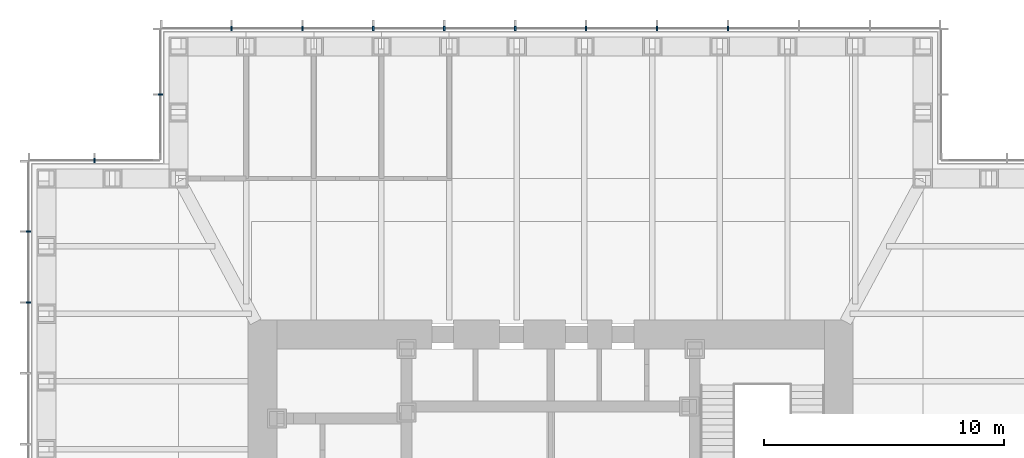
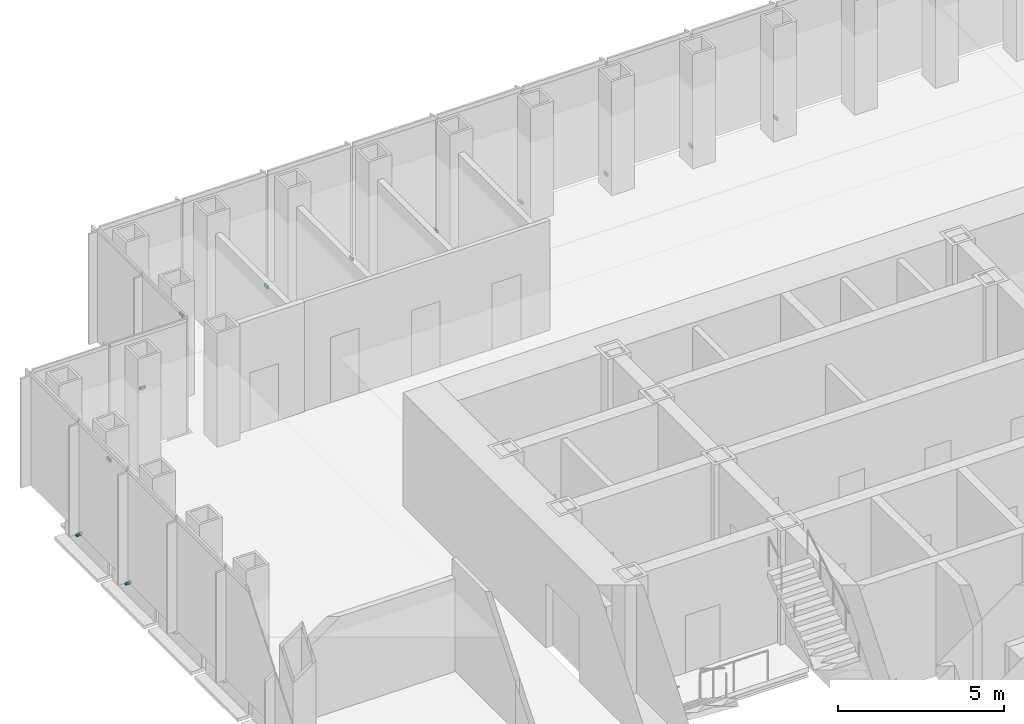
# One storey, part 14 of 16: 12 discrete accessories.
"""IFC4 building model written with IfcOpenShell, lengths in metres."""

from ifc_helpers import new_model, si_unit, direction, frame, origin, origin_2d, place, context, subcontext, project, spatial, rectangle, extrude, element, save


model = new_model("IFC4")

# Units and contexts
model_context = context("Model", 3, precision=1e-05, world=origin(), true_north=direction((0.0, 1.0)))
body_context = subcontext(model_context, "Body", "Model", "MODEL_VIEW")
ifc_project = project(units=[si_unit("LENGTHUNIT", "METRE"), si_unit("AREAUNIT", "SQUARE_METRE"), si_unit("VOLUMEUNIT", "CUBIC_METRE"), si_unit("PLANEANGLEUNIT", "RADIAN"), si_unit("MASSUNIT", "GRAM", prefix="KILO")], contexts=[model_context])

# Site, building, storey
site_placement = place(None, origin())
site = spatial("IfcSite", under=ifc_project, at=site_placement, CompositionType="ELEMENT")
building_placement = place(site_placement, origin())
building = spatial("IfcBuilding", under=site, at=building_placement, Name="Daluyong Arena Tower", CompositionType="ELEMENT")
storey_placement = place(building_placement, frame((0.0, 0.0, 235.89990234375)))
storey = spatial("IfcBuildingStorey", under=building, at=storey_placement, Name="L53", CompositionType="ELEMENT", Elevation=235.89990234375)

# Discrete accessories
for number, where, z_axis, x_axis, name in (
    (1, (63.386474609375, 101.75, -0.099853515625), (0.0, 0.0, 1.0), (-1.0, 0.0, 0.0), "curtain wall L53 N anchor bracket 4"),
    (2, (60.431884765625, 101.75, -0.099853515625), (0.0, 0.0, 1.0), (-1.0, 0.0, 0.0), "curtain wall L53 N anchor bracket 5"),
    (3, (57.477294921875, 101.75, -0.099853515625), (0.0, 0.0, 1.0), (-1.0, 0.0, 0.0), "curtain wall L53 N anchor bracket 6"),
    (4, (54.522705078125, 101.75, -0.099853515625), (0.0, 0.0, 1.0), (-1.0, 0.0, 0.0), "curtain wall L53 N anchor bracket 7"),
    (5, (51.568115234375, 101.75, -0.099853515625), (0.0, 0.0, 1.0), (-1.0, 0.0, 0.0), "curtain wall L53 N anchor bracket 8"),
    (6, (48.613525390625, 101.75, -0.099853515625), (0.0, 0.0, 1.0), (-1.0, 0.0, 0.0), "curtain wall L53 N anchor bracket 9"),
    (7, (45.6591796875, 101.75, -0.099853515625), (0.0, 0.0, 1.0), (-1.0, 0.0, 0.0), "curtain wall L53 N anchor bracket 10"),
    (8, (42.70458984375, 101.75, -0.099853515625), (0.0, 0.0, 1.0), (-1.0, 0.0, 0.0), "curtain wall L53 N anchor bracket 11"),
):
    element("IfcDiscreteAccessory", number, at=place(storey_placement, frame(where, z_axis=z_axis, x_axis=x_axis)), inside=storey, Name=name, PredefinedType="BRACKET", context=body_context, shape_type="SweptSolid", body=[
        extrude(rectangle(XDim=0.070068359375, YDim=0.199951171875, at=origin_2d()), origin(), (0.0, 0.0, 1.0), 0.10009765625),
    ])
for number, where, z_axis, x_axis, name in (
    (9, (39.75, 99.0, -0.099853515625), (0.0, 0.0, 1.0), (0.0, -1.0, 0.0), "curtain wall L53 NW-W anchor bracket 2"),
    (10, (37.0, 96.25, -0.099853515625), (0.0, 0.0, 1.0), (-1.0, 0.0, 0.0), "curtain wall L53 NW-N anchor bracket 2"),
):
    element("IfcDiscreteAccessory", number, at=place(storey_placement, frame(where, z_axis=z_axis, x_axis=x_axis)), inside=storey, Name=name, PredefinedType="BRACKET", context=body_context, shape_type="SweptSolid", body=[
        extrude(rectangle(XDim=0.06005859375, YDim=0.199951171875, at=origin_2d()), origin(), (0.0, 0.0, 1.0), 0.10009765625),
    ])
for number, where, z_axis, x_axis, name in (
    (11, (34.25, 93.29541015625, -0.099853515625), (0.0, 0.0, 1.0), (0.0, -1.0, 0.0), "curtain wall L53 W anchor bracket 2"),
    (12, (34.25, 90.3408203125, -0.099853515625), (0.0, 0.0, 1.0), (0.0, -1.0, 0.0), "curtain wall L53 W anchor bracket 3"),
):
    element("IfcDiscreteAccessory", number, at=place(storey_placement, frame(where, z_axis=z_axis, x_axis=x_axis)), inside=storey, Name=name, PredefinedType="BRACKET", context=body_context, shape_type="SweptSolid", body=[
        extrude(rectangle(XDim=0.070068359375, YDim=0.199951171875, at=origin_2d()), origin(), (0.0, 0.0, 1.0), 0.10009765625),
    ])

save(model, "model.ifc")
